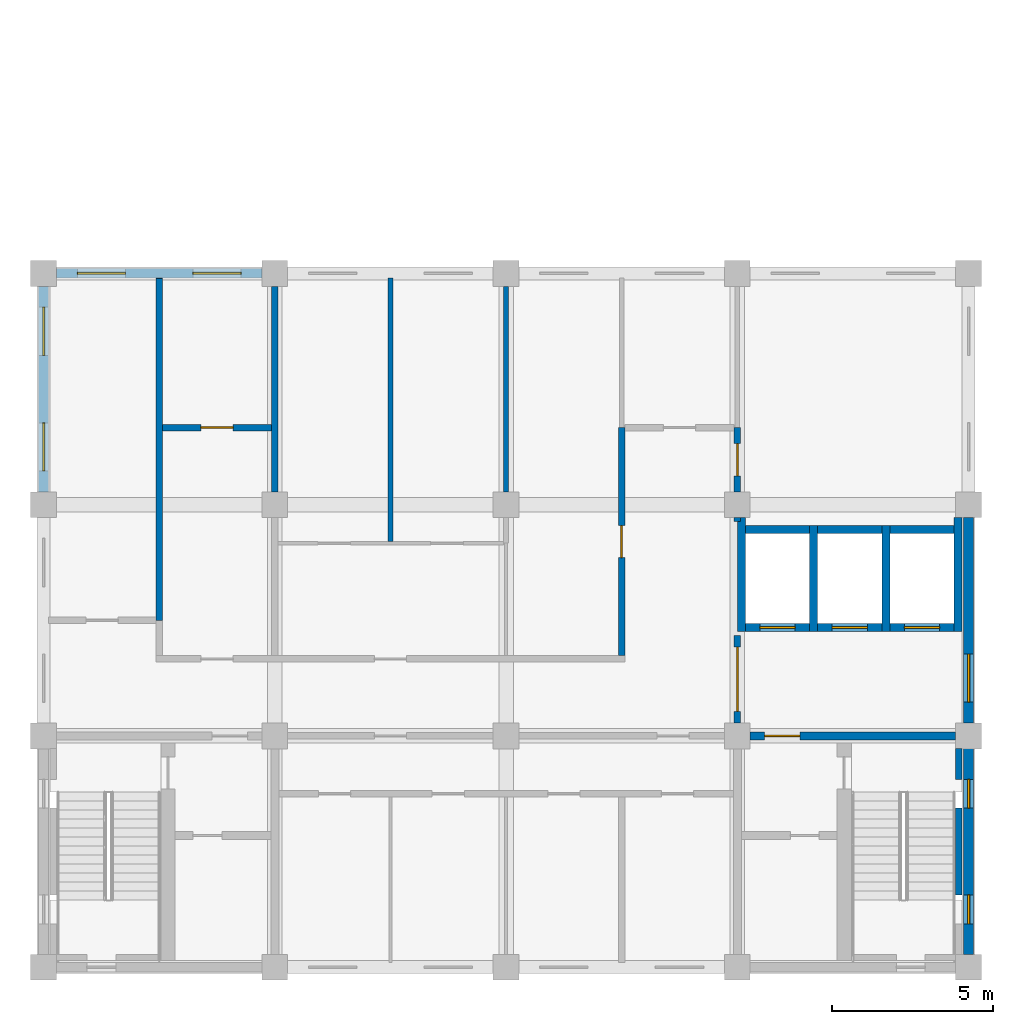
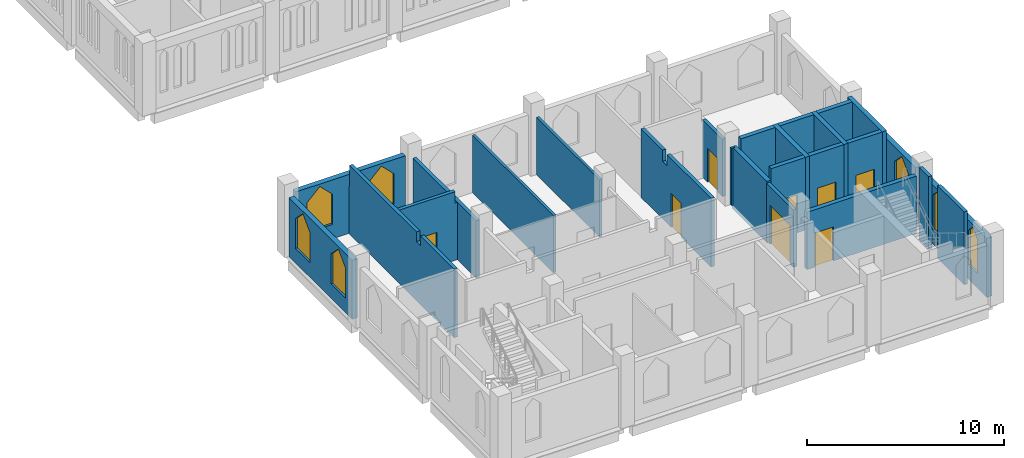
# One storey, part 4 of 13: 26 walls, 8 doors, 7 windows, 15 openings.
"""IFC4 building model written with IfcOpenShell, lengths in metres."""

from ifc_helpers import new_model, si_unit, direction, frame, frame_2d, origin, place, context, subcontext, project, spatial, polyline, rectangle, outline, extrude, material, layer, layer_set, type_object, element, fill, save


model = new_model("IFC4")

# Units and contexts
model_context = context("Model", 3, precision=1e-05, world=origin(), true_north=direction((0.0, 1.0)))
body_context = subcontext(model_context, "Body", "Model", "MODEL_VIEW")
ifc_project = project(units=[si_unit("LENGTHUNIT", "METRE"), si_unit("AREAUNIT", "SQUARE_METRE"), si_unit("VOLUMEUNIT", "CUBIC_METRE"), si_unit("PLANEANGLEUNIT", "RADIAN"), si_unit("MASSUNIT", "GRAM", prefix="KILO")], contexts=[model_context])

# Site, building, storey
site_placement = place(None, origin())
site = spatial("IfcSite", under=ifc_project, at=site_placement, CompositionType="ELEMENT")
building_placement = place(site_placement, origin())
building = spatial("IfcBuilding", under=site, at=building_placement, Name="Silangan Lancet Faculty of Sciences", CompositionType="ELEMENT")
storey_placement = place(building_placement, frame((0.0, 0.0, 49.800048828125)))
storey = spatial("IfcBuildingStorey", under=building, at=storey_placement, Name="L10", CompositionType="ELEMENT", Elevation=49.800048828125)

# Wall, openings, windows
ifc_material_1 = material(Name="Concrete C40/50 precast", Category="concrete")
ifc_layer_1 = layer(ifc_material_1, 0.300048828125)
ifc_layer_set_1 = layer_set([ifc_layer_1], Name="Concrete C40/50 precast")
wall_type_1 = type_object("IfcWallType", Name="EW1 Precast cladding wall", PredefinedType="STANDARD", material=ifc_layer_set_1)
wall_1_placement = place(storey_placement, frame((0.0, 14.800048828125, 0.0), z_axis=(0.0, 0.0, 1.0), x_axis=(0.0, 1.0, 0.0)))
wall_1 = element("IfcWall", 1, at=wall_1_placement, inside=storey, type_object=wall_type_1, Name="EW-L10-W-ST-02", PredefinedType="STANDARD", context=body_context, shape_type="SweptSolid", body=[
    extrude(rectangle(XDim=6.39990234375, YDim=0.300048828125, at=frame_2d((3.199951171875, 0.0))), origin(), (0.0, 0.0, 1.0), 3.64990234375),
])
opening_1_placement = place(wall_1_placement, frame((0.64990234375, 0.0, 0.89990234375)))
opening_1 = element("IfcOpeningElement", 2, at=opening_1_placement, cuts=wall_1, Name="Opening W26", PredefinedType="OPENING", context=body_context, shape_type="SweptSolid", body=[
    extrude(outline(polyline([(0.0, 0.0), (1.5, 0.0), (1.5, 1.85009765625), (0.75, 2.60009765625), (0.0, 1.85009765625), (0.0, 0.0)])), frame((0.0, 0.159912109375, 0.0), z_axis=(0.0, -1.0, 0.0), x_axis=(1.0, 0.0, 0.0)), (0.0, 0.0, 1.0), 0.320068359375),
])
opening_2_placement = place(wall_1_placement, frame((4.25, 0.0, 0.89990234375)))
opening_2 = element("IfcOpeningElement", 3, at=opening_2_placement, cuts=wall_1, Name="Opening W26", PredefinedType="OPENING", context=body_context, shape_type="SweptSolid", body=[
    extrude(outline(polyline([(0.0, 0.0), (1.5, 0.0), (1.5, 1.85009765625), (0.75, 2.60009765625), (0.0, 1.85009765625), (0.0, 0.0)])), frame((0.0, 0.159912109375, 0.0), z_axis=(0.0, -1.0, 0.0), x_axis=(1.0, 0.0, 0.0)), (0.0, 0.0, 1.0), 0.320068359375),
])
ifc_material_2 = material(Name="Aluminium frame, laminated double glazing", Category="aluminium")
window_type_1 = type_object("IfcWindowType", Name="W26 Lancet window 1500 x 2600", PartitioningType="SINGLE_PANEL", PredefinedType="WINDOW", material=ifc_material_2)
window_1_placement = place(opening_1_placement, origin())
window_1 = element("IfcWindow", 4, at=window_1_placement, inside=storey, type_object=window_type_1, Name="WIN-L10-W-ST-02a", OverallHeight=2.60009765625, OverallWidth=1.5, PartitioningType="SINGLE_PANEL", PredefinedType="WINDOW", context=body_context, shape_type="SweptSolid", body=[
    extrude(outline(polyline([(0.0, 0.0), (1.5, 0.0), (1.5, 1.85009765625), (0.75, 2.60009765625), (0.0, 1.85009765625), (0.0, 0.0)])), frame((0.0, 0.030029296875, 0.0), z_axis=(0.0, -1.0, 0.0), x_axis=(1.0, 0.0, 0.0)), (0.0, 0.0, 1.0), 0.06005859375),
])
fill(opening_1, window_1)
window_2_placement = place(opening_2_placement, origin())
window_2 = element("IfcWindow", 5, at=window_2_placement, inside=storey, type_object=window_type_1, Name="WIN-L10-W-ST-02b", OverallHeight=2.60009765625, OverallWidth=1.5, PartitioningType="SINGLE_PANEL", PredefinedType="WINDOW", context=body_context, shape_type="SweptSolid", body=[
    extrude(outline(polyline([(0.0, 0.0), (1.5, 0.0), (1.5, 1.85009765625), (0.75, 2.60009765625), (0.0, 1.85009765625), (0.0, 0.0)])), frame((0.0, 0.030029296875, 0.0), z_axis=(0.0, -1.0, 0.0), x_axis=(1.0, 0.0, 0.0)), (0.0, 0.0, 1.0), 0.06005859375),
])
fill(opening_2, window_2)

# Wall, opening, window
wall_2_placement = place(storey_placement, frame((28.800048828125, 7.60009765625, 0.0), z_axis=(0.0, 0.0, 1.0), x_axis=(0.0, 1.0, 0.0)))
wall_2 = element("IfcWall", 6, at=wall_2_placement, inside=storey, type_object=wall_type_1, Name="EW-L10-E-ST-01", PredefinedType="STANDARD", context=body_context, shape_type="SweptSolid", body=[
    extrude(rectangle(XDim=6.39990234375, YDim=0.300048828125, at=frame_2d((3.199951171875, 0.0))), origin(), (0.0, 0.0, 1.0), 3.64990234375),
])
opening_3_placement = place(wall_2_placement, frame((0.64990234375, 0.0, 0.89990234375)))
opening_3 = element("IfcOpeningElement", 7, at=opening_3_placement, cuts=wall_2, Name="Opening W26", PredefinedType="OPENING", context=body_context, shape_type="SweptSolid", body=[
    extrude(outline(polyline([(0.0, 0.0), (1.5, 0.0), (1.5, 1.85009765625), (0.75, 2.60009765625), (0.0, 1.85009765625), (0.0, 0.0)])), frame((0.0, 0.159912109375, 0.0), z_axis=(0.0, -1.0, 0.0), x_axis=(1.0, 0.0, 0.0)), (0.0, 0.0, 1.0), 0.320068359375),
])
window_3_placement = place(opening_3_placement, origin())
window_3 = element("IfcWindow", 8, at=window_3_placement, inside=storey, type_object=window_type_1, Name="WIN-L10-E-ST-01a", OverallHeight=2.60009765625, OverallWidth=1.5, PartitioningType="SINGLE_PANEL", PredefinedType="WINDOW", context=body_context, shape_type="SweptSolid", body=[
    extrude(outline(polyline([(0.0, 0.0), (1.5, 0.0), (1.5, 1.85009765625), (0.75, 2.60009765625), (0.0, 1.85009765625), (0.0, 0.0)])), frame((0.0, 0.030029296875, 0.0), z_axis=(0.0, -1.0, 0.0), x_axis=(1.0, 0.0, 0.0)), (0.0, 0.0, 1.0), 0.06005859375),
])
fill(opening_3, window_3)

# Wall, openings, windows
wall_3_placement = place(storey_placement, frame((6.800048828125, 21.60009765625, 0.0), z_axis=(0.0, 0.0, 1.0), x_axis=(-1.0, 0.0, 0.0)))
wall_3 = element("IfcWall", 9, at=wall_3_placement, inside=storey, type_object=wall_type_1, Name="EW-L10-N-ST-03", PredefinedType="STANDARD", context=body_context, shape_type="SweptSolid", body=[
    extrude(rectangle(XDim=6.400146484375, YDim=0.300048828125, at=frame_2d((3.2001953125, 0.0))), origin(), (0.0, 0.0, 1.0), 3.64990234375),
])
opening_4_placement = place(wall_3_placement, frame((0.64990234375, 0.0, 0.89990234375)))
opening_4 = element("IfcOpeningElement", 10, at=opening_4_placement, cuts=wall_3, Name="Opening W26", PredefinedType="OPENING", context=body_context, shape_type="SweptSolid", body=[
    extrude(outline(polyline([(0.0, 0.0), (1.5, 0.0), (1.5, 1.85009765625), (0.75, 2.60009765625), (0.0, 1.85009765625), (0.0, 0.0)])), frame((0.0, 0.159912109375, 0.0), z_axis=(0.0, -1.0, 0.0), x_axis=(1.0, 0.0, 0.0)), (0.0, 0.0, 1.0), 0.320068359375),
])
opening_5_placement = place(wall_3_placement, frame((4.25, 0.0, 0.89990234375)))
opening_5 = element("IfcOpeningElement", 11, at=opening_5_placement, cuts=wall_3, Name="Opening W26", PredefinedType="OPENING", context=body_context, shape_type="SweptSolid", body=[
    extrude(outline(polyline([(0.0, 0.0), (1.5, 0.0), (1.5, 1.85009765625), (0.75, 2.60009765625), (0.0, 1.85009765625), (0.0, 0.0)])), frame((0.0, 0.159912109375, 0.0), z_axis=(0.0, -1.0, 0.0), x_axis=(1.0, 0.0, 0.0)), (0.0, 0.0, 1.0), 0.320068359375),
])
window_4_placement = place(opening_4_placement, origin())
window_4 = element("IfcWindow", 12, at=window_4_placement, inside=storey, type_object=window_type_1, Name="WIN-L10-N-ST-03a", OverallHeight=2.60009765625, OverallWidth=1.5, PartitioningType="SINGLE_PANEL", PredefinedType="WINDOW", context=body_context, shape_type="SweptSolid", body=[
    extrude(outline(polyline([(0.0, 0.0), (1.5, 0.0), (1.5, 1.85009765625), (0.75, 2.60009765625), (0.0, 1.85009765625), (0.0, 0.0)])), frame((0.0, 0.030029296875, 0.0), z_axis=(0.0, -1.0, 0.0), x_axis=(1.0, 0.0, 0.0)), (0.0, 0.0, 1.0), 0.06005859375),
])
fill(opening_4, window_4)
window_5_placement = place(opening_5_placement, origin())
window_5 = element("IfcWindow", 13, at=window_5_placement, inside=storey, type_object=window_type_1, Name="WIN-L10-N-ST-03b", OverallHeight=2.60009765625, OverallWidth=1.5, PartitioningType="SINGLE_PANEL", PredefinedType="WINDOW", context=body_context, shape_type="SweptSolid", body=[
    extrude(outline(polyline([(0.0, 0.0), (1.5, 0.0), (1.5, 1.85009765625), (0.75, 2.60009765625), (0.0, 1.85009765625), (0.0, 0.0)])), frame((0.0, 0.030029296875, 0.0), z_axis=(0.0, -1.0, 0.0), x_axis=(1.0, 0.0, 0.0)), (0.0, 0.0, 1.0), 0.06005859375),
])
fill(opening_5, window_5)

ifc_material_3 = material(Name="Concrete C40/50 precast", Category="concrete")
ifc_layer_2 = layer(ifc_material_3, 0.300048828125)
ifc_layer_set_2 = layer_set([ifc_layer_2], Name="Concrete C40/50 precast")
wall_type_2 = type_object("IfcWallType", Name="EW2 Turret enclosure wall", PredefinedType="STANDARD", material=ifc_layer_set_2)
wall_4_placement = place(storey_placement, frame((28.800048828125, 0.39990234375, 0.0), z_axis=(0.0, 0.0, 1.0), x_axis=(0.0, 1.0, 0.0)))
wall_4 = element("IfcWall", 14, at=wall_4_placement, inside=storey, type_object=wall_type_2, Name="EW-L10-E-ST-00", PredefinedType="STANDARD", context=body_context, shape_type="SweptSolid", body=[
    extrude(rectangle(XDim=6.400146484375, YDim=0.300048828125, at=frame_2d((3.2001953125, 0.0))), origin(), (0.0, 0.0, 1.0), 3.64990234375),
])
opening_6_placement = place(wall_4_placement, frame((0.949951171875, 0.0, 0.89990234375)))
opening_6 = element("IfcOpeningElement", 15, at=opening_6_placement, cuts=wall_4, Name="Opening W25", PredefinedType="OPENING", context=body_context, shape_type="SweptSolid", body=[
    extrude(outline(polyline([(0.0, 0.0), (0.89990234375, 0.0), (0.89990234375, 2.150146484375), (0.449951171875, 2.60009765625), (0.0, 2.150146484375), (0.0, 0.0)])), frame((0.0, 0.159912109375, 0.0), z_axis=(0.0, -1.0, 0.0), x_axis=(1.0, 0.0, 0.0)), (0.0, 0.0, 1.0), 0.320068359375),
])
opening_7_placement = place(wall_4_placement, frame((4.550048828125, 0.0, 0.89990234375)))
opening_7 = element("IfcOpeningElement", 16, at=opening_7_placement, cuts=wall_4, Name="Opening W25", PredefinedType="OPENING", context=body_context, shape_type="SweptSolid", body=[
    extrude(outline(polyline([(0.0, 0.0), (0.89990234375, 0.0), (0.89990234375, 2.150146484375), (0.449951171875, 2.60009765625), (0.0, 2.150146484375), (0.0, 0.0)])), frame((0.0, 0.159912109375, 0.0), z_axis=(0.0, -1.0, 0.0), x_axis=(1.0, 0.0, 0.0)), (0.0, 0.0, 1.0), 0.320068359375),
])
ifc_material_4 = material(Name="Aluminium frame, laminated double glazing", Category="aluminium")
window_type_2 = type_object("IfcWindowType", Name="W25 Lancet window 900 x 2600", PartitioningType="SINGLE_PANEL", PredefinedType="WINDOW", material=ifc_material_4)
window_6_placement = place(opening_6_placement, origin())
window_6 = element("IfcWindow", 17, at=window_6_placement, inside=storey, type_object=window_type_2, Name="WIN-L10-E-ST-00a", OverallHeight=2.60009765625, OverallWidth=0.89990234375, PartitioningType="SINGLE_PANEL", PredefinedType="WINDOW", context=body_context, shape_type="SweptSolid", body=[
    extrude(outline(polyline([(0.0, 0.0), (0.89990234375, 0.0), (0.89990234375, 2.150146484375), (0.449951171875, 2.60009765625), (0.0, 2.150146484375), (0.0, 0.0)])), frame((0.0, 0.030029296875, 0.0), z_axis=(0.0, -1.0, 0.0), x_axis=(1.0, 0.0, 0.0)), (0.0, 0.0, 1.0), 0.06005859375),
])
fill(opening_6, window_6)
window_7_placement = place(opening_7_placement, origin())
window_7 = element("IfcWindow", 18, at=window_7_placement, inside=storey, type_object=window_type_2, Name="WIN-L10-E-ST-00b", OverallHeight=2.60009765625, OverallWidth=0.89990234375, PartitioningType="SINGLE_PANEL", PredefinedType="WINDOW", context=body_context, shape_type="SweptSolid", body=[
    extrude(outline(polyline([(0.0, 0.0), (0.89990234375, 0.0), (0.89990234375, 2.150146484375), (0.449951171875, 2.60009765625), (0.0, 2.150146484375), (0.0, 0.0)])), frame((0.0, 0.030029296875, 0.0), z_axis=(0.0, -1.0, 0.0), x_axis=(1.0, 0.0, 0.0)), (0.0, 0.0, 1.0), 0.06005859375),
])
fill(opening_7, window_7)

# Wall, opening, door
ifc_material_5 = material(Name="Hollow block masonry fm 7 MPa", Category="masonry")
ifc_layer_3 = layer(ifc_material_5, 0.199951171875)
ifc_layer_set_3 = layer_set([ifc_layer_3], Name="Hollow block masonry fm 7 MPa")
wall_type_3 = type_object("IfcWallType", Name="Interior wall PW1 Corridor wall CHB 200", PredefinedType="PARTITIONING", material=ifc_layer_set_3)
wall_5_placement = place(storey_placement, frame((18.0, 9.699951171875, 0.0), z_axis=(0.0, 0.0, 1.0), x_axis=(0.0, 1.0, 0.0)))
wall_5 = element("IfcWall", 19, at=wall_5_placement, inside=storey, type_object=wall_type_3, Name="Corridor wall CHB 200", PredefinedType="PARTITIONING", context=body_context, shape_type="SweptSolid", body=[
    extrude(outline(polyline([(0.0, 0.0), (7.10009765625, 0.0), (7.10009765625, 4.25), (4.925048828125, 4.25), (4.925048828125, 3.550048828125), (4.47509765625, 3.550048828125), (4.47509765625, 4.25), (0.0, 4.25), (0.0, 0.0)])), frame((0.0, 0.10009765625, 0.0), z_axis=(0.0, -1.0, 0.0), x_axis=(1.0, 0.0, 0.0)), (0.0, 0.0, 1.0), 0.199951171875),
])
opening_8_placement = place(wall_5_placement, frame((3.050048828125, 0.0, 0.0)))
opening_8 = element("IfcOpeningElement", 20, at=opening_8_placement, cuts=wall_5, Name="Opening L10-019", PredefinedType="OPENING", context=body_context, shape_type="SweptSolid", body=[
    extrude(rectangle(XDim=1.0, YDim=2.10009765625, at=frame_2d((0.5, 1.050048828125))), frame((0.0, 0.10986328125, 0.0), z_axis=(0.0, -1.0, 0.0), x_axis=(1.0, 0.0, 0.0)), (0.0, 0.0, 1.0), 0.219970703125),
])
ifc_material_6 = material(Name="Steel fire door set", Category="steel")
door_type_1 = type_object("IfcDoorType", Name="Door D1 Single leaf fire door 1000 x 2100", OperationType="SINGLE_SWING_LEFT", PredefinedType="DOOR", material=ifc_material_6)
door_1_placement = place(opening_8_placement, origin())
door_1 = element("IfcDoor", 21, at=door_1_placement, inside=storey, type_object=door_type_1, Name="Single leaf fire door 1000 x 2100", OperationType="SINGLE_SWING_LEFT", OverallHeight=2.10009765625, OverallWidth=1.0, PredefinedType="DOOR", context=body_context, shape_type="SweptSolid", body=[
    extrude(rectangle(XDim=1.0, YDim=2.10009765625, at=frame_2d((0.5, 1.050048828125))), frame((0.0, 0.02490234375, 0.0), z_axis=(0.0, -1.0, 0.0), x_axis=(1.0, 0.0, 0.0)), (0.0, 0.0, 1.0), 0.050048828125),
])
fill(opening_8, door_1)

# Wall
wall_6_placement = place(storey_placement, frame((21.60009765625, 13.875, 0.0), z_axis=(0.0, 0.0, 1.0), x_axis=(0.0, 1.0, 0.0)))
element("IfcWall", 22, at=wall_6_placement, inside=storey, type_object=wall_type_3, Name="Corridor wall CHB 200", PredefinedType="PARTITIONING", context=body_context, shape_type="SweptSolid", body=[
    extrude(rectangle(XDim=0.125, YDim=0.199951171875, at=frame_2d((0.0625, 0.0))), origin(), (0.0, 0.0, 1.0), 3.550048828125),
])

# Wall, opening, door
wall_7_placement = place(storey_placement, frame((21.60009765625, 14.800048828125, 0.0), z_axis=(0.0, 0.0, 1.0), x_axis=(0.0, 1.0, 0.0)))
wall_7 = element("IfcWall", 23, at=wall_7_placement, inside=storey, type_object=wall_type_3, Name="Corridor wall CHB 200", PredefinedType="PARTITIONING", context=body_context, shape_type="SweptSolid", body=[
    extrude(rectangle(XDim=2.0, YDim=0.199951171875, at=frame_2d((1.0, 0.0))), origin(), (0.0, 0.0, 1.0), 3.550048828125),
])
opening_9_placement = place(wall_7_placement, frame((0.5, 0.0, 0.0)))
opening_9 = element("IfcOpeningElement", 24, at=opening_9_placement, cuts=wall_7, Name="Opening L10-012", PredefinedType="OPENING", context=body_context, shape_type="SweptSolid", body=[
    extrude(rectangle(XDim=1.0, YDim=2.10009765625, at=frame_2d((0.5, 1.050048828125))), frame((0.0, 0.10986328125, 0.0), z_axis=(0.0, -1.0, 0.0), x_axis=(1.0, 0.0, 0.0)), (0.0, 0.0, 1.0), 0.219970703125),
])
door_2_placement = place(opening_9_placement, frame((1.0, 0.0, 0.0), z_axis=(0.0, 0.0, 1.0), x_axis=(-1.0, 0.0, 0.0)))
door_2 = element("IfcDoor", 25, at=door_2_placement, inside=storey, type_object=door_type_1, Name="Single leaf fire door 1000 x 2100", OperationType="SINGLE_SWING_LEFT", OverallHeight=2.10009765625, OverallWidth=1.0, PredefinedType="DOOR", context=body_context, shape_type="SweptSolid", body=[
    extrude(rectangle(XDim=1.0, YDim=2.10009765625, at=frame_2d((0.5, 1.050048828125))), frame((0.0, 0.025146484375, 0.0), z_axis=(0.0, -1.0, 0.0), x_axis=(1.0, 0.0, 0.0)), (0.0, 0.0, 1.0), 0.050048828125),
])
fill(opening_9, door_2)

# Walls
ifc_material_7 = material(Name="Hollow block masonry fm 7 MPa", Category="masonry")
ifc_layer_4 = layer(ifc_material_7, 0.14990234375)
ifc_layer_set_4 = layer_set([ifc_layer_4], Name="Hollow block masonry fm 7 MPa")
wall_type_4 = type_object("IfcWallType", Name="Interior wall PW3 Partition CHB 150", PredefinedType="PARTITIONING", material=ifc_layer_set_4)
wall_8_placement = place(storey_placement, frame((10.800048828125, 13.25, 0.0), z_axis=(0.0, 0.0, 1.0), x_axis=(0.0, 1.0, 0.0)))
element("IfcWall", 26, at=wall_8_placement, inside=storey, type_object=wall_type_4, Name="Partition CHB 150", PredefinedType="PARTITIONING", context=body_context, shape_type="SweptSolid", body=[
    extrude(rectangle(XDim=8.199951171875, YDim=0.14990234375, at=frame_2d((4.10009765625, 0.0))), origin(), (0.0, 0.0, 1.0), 3.550048828125),
])
wall_9_placement = place(storey_placement, frame((14.39990234375, 14.800048828125, 0.0), z_axis=(0.0, 0.0, 1.0), x_axis=(0.0, 1.0, 0.0)))
element("IfcWall", 27, at=wall_9_placement, inside=storey, type_object=wall_type_4, Name="Partition CHB 150", PredefinedType="PARTITIONING", context=body_context, shape_type="SweptSolid", body=[
    extrude(rectangle(XDim=6.39990234375, YDim=0.14990234375, at=frame_2d((3.199951171875, 0.0))), origin(), (0.0, 0.0, 1.0), 3.550048828125),
])

# Wall, opening, door
ifc_material_8 = material(Name="Hollow block masonry fm 7 MPa", Category="masonry")
ifc_layer_5 = layer(ifc_material_8, 0.199951171875)
ifc_layer_set_5 = layer_set([ifc_layer_5], Name="Hollow block masonry fm 7 MPa")
wall_type_5 = type_object("IfcWallType", Name="Interior wall PW4 Laboratory separation CHB 200", PredefinedType="PARTITIONING", material=ifc_layer_set_5)
wall_10_placement = place(storey_placement, frame((3.699951171875, 16.800048828125, 0.0), z_axis=(0.0, 0.0, 1.0), x_axis=(1.0, 0.0, 0.0)))
wall_10 = element("IfcWall", 28, at=wall_10_placement, inside=storey, type_object=wall_type_5, Name="Laboratory separation CHB 200", PredefinedType="PARTITIONING", context=body_context, shape_type="SweptSolid", body=[
    extrude(outline(polyline([(0.0, 0.0), (3.400146484375, 0.0), (3.400146484375, 3.550048828125), (3.27490234375, 3.550048828125), (3.27490234375, 4.25), (0.0, 4.25), (0.0, 0.0)])), frame((0.0, 0.10009765625, 0.0), z_axis=(0.0, -1.0, 0.0), x_axis=(1.0, 0.0, 0.0)), (0.0, 0.0, 1.0), 0.199951171875),
])
opening_10_placement = place(wall_10_placement, frame((1.199951171875, 0.0, 0.0)))
opening_10 = element("IfcOpeningElement", 29, at=opening_10_placement, cuts=wall_10, Name="Opening L10-015", PredefinedType="OPENING", context=body_context, shape_type="SweptSolid", body=[
    extrude(rectangle(XDim=1.0, YDim=2.10009765625, at=frame_2d((0.5, 1.050048828125))), frame((0.0, 0.10986328125, 0.0), z_axis=(0.0, -1.0, 0.0), x_axis=(1.0, 0.0, 0.0)), (0.0, 0.0, 1.0), 0.219970703125),
])
door_3_placement = place(opening_10_placement, origin())
door_3 = element("IfcDoor", 30, at=door_3_placement, inside=storey, type_object=door_type_1, Name="Single leaf fire door 1000 x 2100", OperationType="SINGLE_SWING_LEFT", OverallHeight=2.10009765625, OverallWidth=1.0, PredefinedType="DOOR", context=body_context, shape_type="SweptSolid", body=[
    extrude(rectangle(XDim=1.0, YDim=2.10009765625, at=frame_2d((0.5, 1.050048828125))), frame((0.0, 0.02490234375, 0.0), z_axis=(0.0, -1.0, 0.0), x_axis=(1.0, 0.0, 0.0)), (0.0, 0.0, 1.0), 0.050048828125),
])
fill(opening_10, door_3)

# Walls
wall_11_placement = place(storey_placement, frame((3.60009765625, 10.800048828125, 0.0), z_axis=(0.0, 0.0, 1.0), x_axis=(0.0, 1.0, 0.0)))
element("IfcWall", 31, at=wall_11_placement, inside=storey, type_object=wall_type_5, Name="Laboratory separation CHB 200", PredefinedType="PARTITIONING", context=body_context, shape_type="SweptSolid", body=[
    extrude(outline(polyline([(0.0, 0.0), (10.64990234375, 0.0), (10.60009765625, 4.25), (3.800048828125, 4.25), (3.800048828125, 3.64990234375), (3.39990234375, 3.64990234375), (3.39990234375, 4.25), (0.0, 4.25), (0.0, 0.0)])), frame((0.0, 0.10009765625, 0.0), z_axis=(0.0, -1.0, 0.0), x_axis=(1.0, 0.0, 0.0)), (0.0, 0.0, 1.0), 0.199951171875),
])
wall_12_placement = place(storey_placement, frame((7.199951171875, 14.800048828125, 0.0), z_axis=(0.0, 0.0, 1.0), x_axis=(0.0, 1.0, 0.0)))
element("IfcWall", 32, at=wall_12_placement, inside=storey, type_object=wall_type_5, Name="Laboratory separation CHB 200", PredefinedType="PARTITIONING", context=body_context, shape_type="SweptSolid", body=[
    extrude(rectangle(XDim=6.39990234375, YDim=0.199951171875, at=frame_2d((3.199951171875, 0.0))), origin(), (0.0, 0.0, 1.0), 3.550048828125),
])

# Wall, opening, door
ifc_material_9 = material(Name="Hollow block masonry fm 7 MPa", Category="masonry")
ifc_layer_6 = layer(ifc_material_9, 0.199951171875)
ifc_layer_set_6 = layer_set([ifc_layer_6], Name="Hollow block masonry fm 7 MPa")
wall_type_6 = type_object("IfcWallType", Name="Interior wall PW9 Lift lobby wall CHB 200", PredefinedType="PARTITIONING", material=ifc_layer_set_6)
wall_13_placement = place(storey_placement, frame((21.60009765625, 7.60009765625, 0.0), z_axis=(0.0, 0.0, 1.0), x_axis=(0.0, 1.0, 0.0)))
wall_13 = element("IfcWall", 33, at=wall_13_placement, inside=storey, type_object=wall_type_6, Name="Lift lobby wall CHB 200", PredefinedType="PARTITIONING", context=body_context, shape_type="SweptSolid", body=[
    extrude(rectangle(XDim=2.724853515625, YDim=0.199951171875, at=frame_2d((1.3623046875, 0.0))), origin(), (0.0, 0.0, 1.0), 3.550048828125),
])
opening_11_placement = place(wall_13_placement, frame((0.3623046875, 0.0, 0.0)))
opening_11 = element("IfcOpeningElement", 34, at=opening_11_placement, cuts=wall_13, Name="Opening L10-001", PredefinedType="OPENING", context=body_context, shape_type="SweptSolid", body=[
    extrude(rectangle(XDim=2.0, YDim=2.39990234375, at=frame_2d((1.0, 1.199951171875))), frame((0.0, 0.10986328125, 0.0), z_axis=(0.0, -1.0, 0.0), x_axis=(1.0, 0.0, 0.0)), (0.0, 0.0, 1.0), 0.219970703125),
])
ifc_material_10 = material(Name="Steel fire door set", Category="steel")
door_type_2 = type_object("IfcDoorType", Name="Door D5 Lift lobby double fire door 2000 x 2400", OperationType="DOUBLE_DOOR_SINGLE_SWING", PredefinedType="DOOR", material=ifc_material_10)
door_4_placement = place(opening_11_placement, origin())
door_4 = element("IfcDoor", 35, at=door_4_placement, inside=storey, type_object=door_type_2, Name="Lift lobby double fire door 2000 x 2400", OperationType="DOUBLE_DOOR_SINGLE_SWING", OverallHeight=2.39990234375, OverallWidth=2.0, PredefinedType="DOOR", context=body_context, shape_type="SweptSolid", body=[
    extrude(rectangle(XDim=2.0, YDim=2.39990234375, at=frame_2d((1.0, 1.199951171875))), frame((0.0, 0.02490234375, 0.0), z_axis=(0.0, -1.0, 0.0), x_axis=(1.0, 0.0, 0.0)), (0.0, 0.0, 1.0), 0.050048828125),
])
fill(opening_11, door_4)

# Walls
ifc_material_11 = material(Name="Concrete C40/50", Category="concrete")
ifc_layer_7 = layer(ifc_material_11, 0.25)
ifc_layer_set_7 = layer_set([ifc_layer_7], Name="Concrete C40/50")
wall_type_7 = type_object("IfcWallType", Name="LIFT SHAFT WALL RC 250", PredefinedType="SHEAR", material=ifc_layer_set_7)
wall_14_placement = place(storey_placement, frame((21.72509765625, 10.449951171875, -0.25), z_axis=(0.0, 0.0, 1.0), x_axis=(0.0, 1.0, 0.0)))
element("IfcWall", 36, at=wall_14_placement, inside=storey, type_object=wall_type_7, Name="WALL-L10-ST-SW1", PredefinedType="SHEAR", context=body_context, shape_type="SweptSolid", body=[
    extrude(rectangle(XDim=3.550048828125, YDim=0.25, at=frame_2d((1.77490234375, 0.0))), origin(), (0.0, 0.0, 1.0), 3.800048828125),
])
for number, where, z_axis, x_axis, name in (
    (37, (23.97509765625, 10.449951171875, -0.25), (0.0, 0.0, 1.0), (0.0, 1.0, 0.0), "WALL-L10-ST-SW2"),
    (38, (26.22509765625, 10.449951171875, -0.25), (0.0, 0.0, 1.0), (0.0, 1.0, 0.0), "WALL-L10-ST-SW3"),
):
    element("IfcWall", number, at=place(storey_placement, frame(where, z_axis=z_axis, x_axis=x_axis)), inside=storey, type_object=wall_type_7, Name=name, PredefinedType="SHEAR", context=body_context, shape_type="SweptSolid", body=[
        extrude(rectangle(XDim=3.300048828125, YDim=0.25, at=frame_2d((1.64990234375, 0.0))), origin(), (0.0, 0.0, 1.0), 4.5),
    ])
wall_15_placement = place(storey_placement, frame((28.47509765625, 10.449951171875, -0.25), z_axis=(0.0, 0.0, 1.0), x_axis=(0.0, 1.0, 0.0)))
element("IfcWall", 39, at=wall_15_placement, inside=storey, type_object=wall_type_7, Name="WALL-L10-ST-SW4", PredefinedType="SHEAR", context=body_context, shape_type="SweptSolid", body=[
    extrude(rectangle(XDim=3.550048828125, YDim=0.25, at=frame_2d((1.77490234375, 0.0))), origin(), (0.0, 0.0, 1.0), 4.5),
])

# Wall, opening, door
wall_16_placement = place(storey_placement, frame((21.85009765625, 10.574951171875, -0.25), z_axis=(0.0, 0.0, 1.0), x_axis=(1.0, 0.0, 0.0)))
wall_16 = element("IfcWall", 40, at=wall_16_placement, inside=storey, type_object=wall_type_7, Name="WALL-L10-ST-L1-F", PredefinedType="SHEAR", context=body_context, shape_type="SweptSolid", body=[
    extrude(rectangle(XDim=2.0, YDim=0.25, at=frame_2d((1.0, 0.0))), origin(), (0.0, 0.0, 1.0), 4.5),
])
opening_12_placement = place(wall_16_placement, frame((0.449951171875, 0.0, 0.25)))
opening_12 = element("IfcOpeningElement", 41, at=opening_12_placement, cuts=wall_16, Name="Opening L10-804", PredefinedType="OPENING", context=body_context, shape_type="SweptSolid", body=[
    extrude(rectangle(XDim=1.10009765625, YDim=2.10009765625, at=frame_2d((0.550048828125, 1.050048828125))), frame((0.0, 0.135009765625, 0.0), z_axis=(0.0, -1.0, 0.0), x_axis=(1.0, 0.0, 0.0)), (0.0, 0.0, 1.0), 0.27001953125),
])
ifc_material_12 = material(Name="Stainless steel sliding door", Category="steel")
door_type_3 = type_object("IfcDoorType", Name="LD1 Lift landing door 1100x2100", OperationType="SLIDING_TO_LEFT", PredefinedType="DOOR", material=ifc_material_12)
door_5_placement = place(opening_12_placement, origin())
door_5 = element("IfcDoor", 42, at=door_5_placement, inside=storey, type_object=door_type_3, Name="Landing door ST-L1 L10", OperationType="SLIDING_TO_LEFT", OverallHeight=2.10009765625, OverallWidth=1.10009765625, PredefinedType="DOOR", context=body_context, shape_type="SweptSolid", body=[
    extrude(rectangle(XDim=1.10009765625, YDim=2.10009765625, at=frame_2d((0.550048828125, 1.050048828125))), frame((0.0, 0.02490234375, 0.0), z_axis=(0.0, -1.0, 0.0), x_axis=(1.0, 0.0, 0.0)), (0.0, 0.0, 1.0), 0.050048828125),
])
fill(opening_12, door_5)

# Wall
wall_17_placement = place(storey_placement, frame((21.85009765625, 13.625, -0.25), z_axis=(0.0, 0.0, 1.0), x_axis=(1.0, 0.0, 0.0)))
element("IfcWall", 43, at=wall_17_placement, inside=storey, type_object=wall_type_7, Name="WALL-L10-ST-L1-B", PredefinedType="SHEAR", context=body_context, shape_type="SweptSolid", body=[
    extrude(rectangle(XDim=2.0, YDim=0.25, at=frame_2d((1.0, 0.0))), origin(), (0.0, 0.0, 1.0), 4.5),
])

# Wall, opening, door
wall_18_placement = place(storey_placement, frame((24.10009765625, 10.574951171875, -0.25), z_axis=(0.0, 0.0, 1.0), x_axis=(1.0, 0.0, 0.0)))
wall_18 = element("IfcWall", 44, at=wall_18_placement, inside=storey, type_object=wall_type_7, Name="WALL-L10-ST-L2-F", PredefinedType="SHEAR", context=body_context, shape_type="SweptSolid", body=[
    extrude(rectangle(XDim=2.0, YDim=0.25, at=frame_2d((1.0, 0.0))), origin(), (0.0, 0.0, 1.0), 4.5),
])
opening_13_placement = place(wall_18_placement, frame((0.449951171875, 0.0, 0.25)))
opening_13 = element("IfcOpeningElement", 45, at=opening_13_placement, cuts=wall_18, Name="Opening L10-805", PredefinedType="OPENING", context=body_context, shape_type="SweptSolid", body=[
    extrude(rectangle(XDim=1.10009765625, YDim=2.10009765625, at=frame_2d((0.550048828125, 1.050048828125))), frame((0.0, 0.135009765625, 0.0), z_axis=(0.0, -1.0, 0.0), x_axis=(1.0, 0.0, 0.0)), (0.0, 0.0, 1.0), 0.27001953125),
])
door_6_placement = place(opening_13_placement, origin())
door_6 = element("IfcDoor", 46, at=door_6_placement, inside=storey, type_object=door_type_3, Name="Landing door ST-L2 L10", OperationType="SLIDING_TO_LEFT", OverallHeight=2.10009765625, OverallWidth=1.10009765625, PredefinedType="DOOR", context=body_context, shape_type="SweptSolid", body=[
    extrude(rectangle(XDim=1.10009765625, YDim=2.10009765625, at=frame_2d((0.550048828125, 1.050048828125))), frame((0.0, 0.02490234375, 0.0), z_axis=(0.0, -1.0, 0.0), x_axis=(1.0, 0.0, 0.0)), (0.0, 0.0, 1.0), 0.050048828125),
])
fill(opening_13, door_6)

# Wall
wall_19_placement = place(storey_placement, frame((24.10009765625, 13.625, -0.25), z_axis=(0.0, 0.0, 1.0), x_axis=(1.0, 0.0, 0.0)))
element("IfcWall", 47, at=wall_19_placement, inside=storey, type_object=wall_type_7, Name="WALL-L10-ST-L2-B", PredefinedType="SHEAR", context=body_context, shape_type="SweptSolid", body=[
    extrude(rectangle(XDim=2.0, YDim=0.25, at=frame_2d((1.0, 0.0))), origin(), (0.0, 0.0, 1.0), 4.5),
])

# Wall, opening, door
wall_20_placement = place(storey_placement, frame((26.35009765625, 10.574951171875, -0.25), z_axis=(0.0, 0.0, 1.0), x_axis=(1.0, 0.0, 0.0)))
wall_20 = element("IfcWall", 48, at=wall_20_placement, inside=storey, type_object=wall_type_7, Name="WALL-L10-ST-L3-F", PredefinedType="SHEAR", context=body_context, shape_type="SweptSolid", body=[
    extrude(rectangle(XDim=2.0, YDim=0.25, at=frame_2d((1.0, 0.0))), origin(), (0.0, 0.0, 1.0), 4.5),
])
opening_14_placement = place(wall_20_placement, frame((0.449951171875, 0.0, 0.25)))
opening_14 = element("IfcOpeningElement", 49, at=opening_14_placement, cuts=wall_20, Name="Opening L10-806", PredefinedType="OPENING", context=body_context, shape_type="SweptSolid", body=[
    extrude(rectangle(XDim=1.10009765625, YDim=2.10009765625, at=frame_2d((0.550048828125, 1.050048828125))), frame((0.0, 0.135009765625, 0.0), z_axis=(0.0, -1.0, 0.0), x_axis=(1.0, 0.0, 0.0)), (0.0, 0.0, 1.0), 0.27001953125),
])
door_7_placement = place(opening_14_placement, origin())
door_7 = element("IfcDoor", 50, at=door_7_placement, inside=storey, type_object=door_type_3, Name="Landing door ST-L3 L10", OperationType="SLIDING_TO_LEFT", OverallHeight=2.10009765625, OverallWidth=1.10009765625, PredefinedType="DOOR", context=body_context, shape_type="SweptSolid", body=[
    extrude(rectangle(XDim=1.10009765625, YDim=2.10009765625, at=frame_2d((0.550048828125, 1.050048828125))), frame((0.0, 0.02490234375, 0.0), z_axis=(0.0, -1.0, 0.0), x_axis=(1.0, 0.0, 0.0)), (0.0, 0.0, 1.0), 0.050048828125),
])
fill(opening_14, door_7)

# Walls
wall_21_placement = place(storey_placement, frame((26.35009765625, 13.625, -0.25), z_axis=(0.0, 0.0, 1.0), x_axis=(1.0, 0.0, 0.0)))
element("IfcWall", 51, at=wall_21_placement, inside=storey, type_object=wall_type_7, Name="WALL-L10-ST-L3-B", PredefinedType="SHEAR", context=body_context, shape_type="SweptSolid", body=[
    extrude(rectangle(XDim=2.0, YDim=0.25, at=frame_2d((1.0, 0.0))), origin(), (0.0, 0.0, 1.0), 4.5),
])
ifc_material_13 = material(Name="Concrete C40/50", Category="concrete")
ifc_layer_8 = layer(ifc_material_13, 0.199951171875)
ifc_layer_set_8 = layer_set([ifc_layer_8], Name="Concrete C40/50")
wall_type_8 = type_object("IfcWallType", Name="TURRET LINING WALL RC 200", PredefinedType="SHEAR", material=ifc_layer_set_8)
wall_22_placement = place(storey_placement, frame((28.5, 2.25, -0.25), z_axis=(0.0, 0.0, 1.0), x_axis=(0.0, 1.0, 0.0)))
element("IfcWall", 52, at=wall_22_placement, inside=storey, type_object=wall_type_8, Name="WALL-L10-ST-B-WL-2", PredefinedType="SHEAR", context=body_context, shape_type="SweptSolid", body=[
    extrude(rectangle(XDim=2.699951171875, YDim=0.199951171875, at=frame_2d((1.35009765625, 0.0))), origin(), (0.0, 0.0, 1.0), 4.5),
])
wall_23_placement = place(storey_placement, frame((28.5, 5.85009765625, -0.25), z_axis=(0.0, 0.0, 1.0), x_axis=(0.0, 1.0, 0.0)))
element("IfcWall", 53, at=wall_23_placement, inside=storey, type_object=wall_type_8, Name="WALL-L10-ST-B-WL-3", PredefinedType="SHEAR", context=body_context, shape_type="SweptSolid", body=[
    extrude(rectangle(XDim=0.949951171875, YDim=0.199951171875, at=frame_2d((0.47509765625, 0.0))), origin(), (0.0, 0.0, 1.0), 4.5),
])

# Wall, opening, door
ifc_material_14 = material(Name="Concrete C40/50", Category="concrete")
ifc_layer_9 = layer(ifc_material_14, 0.25)
ifc_layer_set_9 = layer_set([ifc_layer_9], Name="Concrete C40/50")
wall_type_9 = type_object("IfcWallType", Name="TURRET WALL RC 250", PredefinedType="SHEAR", material=ifc_layer_set_9)
wall_24_placement = place(storey_placement, frame((22.0, 7.199951171875, 0.0), z_axis=(0.0, 0.0, 1.0), x_axis=(1.0, 0.0, 0.0)))
wall_24 = element("IfcWall", 54, at=wall_24_placement, inside=storey, type_object=wall_type_9, Name="WALL-L10-ST-B-V", PredefinedType="SHEAR", context=body_context, shape_type="SweptSolid", body=[
    extrude(rectangle(XDim=6.39990234375, YDim=0.25, at=frame_2d((3.199951171875, 0.0))), origin(), (0.0, 0.0, 1.0), 3.550048828125),
])
opening_15_placement = place(wall_24_placement, frame((0.449951171875, 0.0, 0.0)))
opening_15 = element("IfcOpeningElement", 55, at=opening_15_placement, cuts=wall_24, Name="Opening L10-711", PredefinedType="OPENING", context=body_context, shape_type="SweptSolid", body=[
    extrude(rectangle(XDim=1.10009765625, YDim=2.10009765625, at=frame_2d((0.550048828125, 1.050048828125))), frame((0.0, 0.135009765625, 0.0), z_axis=(0.0, -1.0, 0.0), x_axis=(1.0, 0.0, 0.0)), (0.0, 0.0, 1.0), 0.27001953125),
])
ifc_material_15 = material(Name="Steel fire door set", Category="steel")
door_type_4 = type_object("IfcDoorType", Name="D70 Stair vestibule door 1100x2100", OperationType="SINGLE_SWING_LEFT", PredefinedType="DOOR", material=ifc_material_15)
door_8_placement = place(opening_15_placement, frame((1.10009765625, 0.0, 0.0), z_axis=(0.0, 0.0, 1.0), x_axis=(-1.0, 0.0, 0.0)))
door_8 = element("IfcDoor", 56, at=door_8_placement, inside=storey, type_object=door_type_4, Name="Stair vestibule door ST-B L10", OperationType="SINGLE_SWING_RIGHT", OverallHeight=2.10009765625, OverallWidth=1.10009765625, PredefinedType="DOOR", context=body_context, shape_type="SweptSolid", body=[
    extrude(rectangle(XDim=1.10009765625, YDim=2.10009765625, at=frame_2d((0.550048828125, 1.050048828125))), frame((0.0, 0.025146484375, 0.0), z_axis=(0.0, -1.0, 0.0), x_axis=(1.0, 0.0, 0.0)), (0.0, 0.0, 1.0), 0.050048828125),
])
fill(opening_15, door_8)

save(model, "model.ifc")
